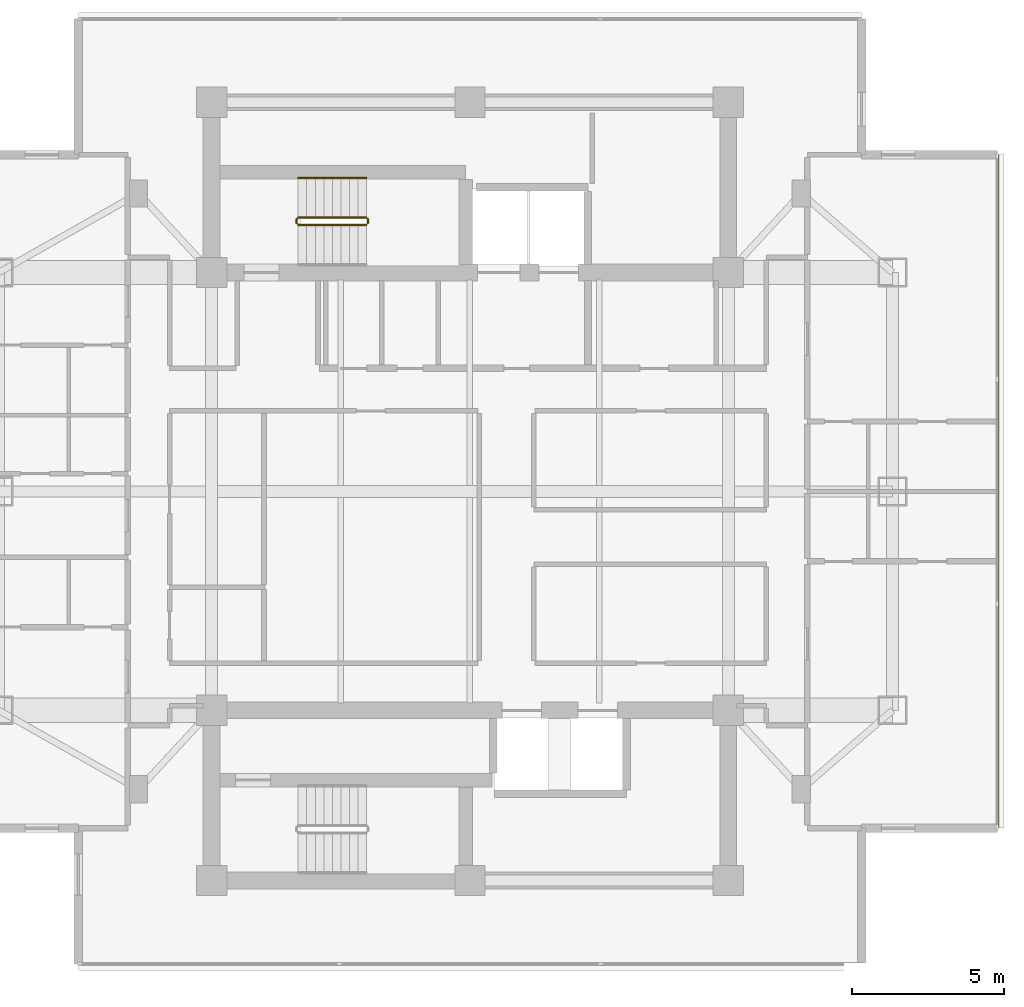
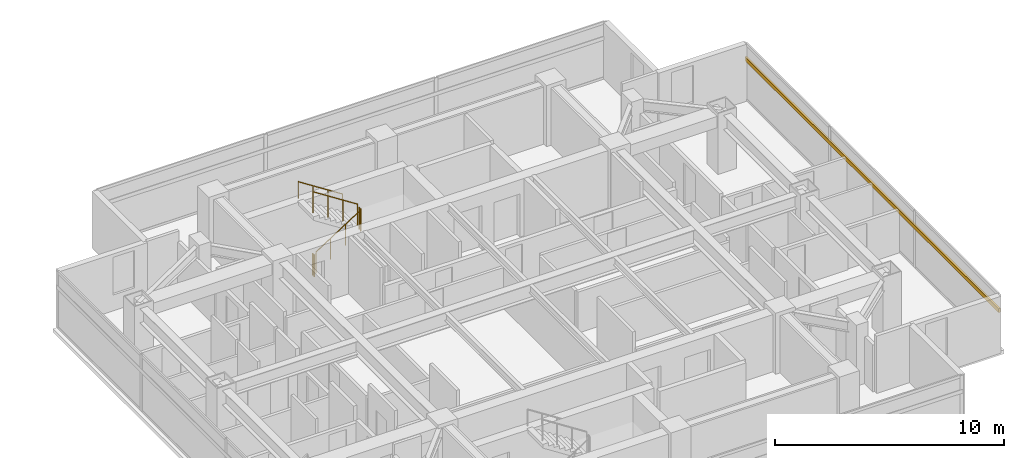
# One storey, part 23 of 24: 5 railings, 1 shading device.
"""IFC4 building model written with IfcOpenShell, lengths in metres."""

import ifcopenshell
import ifcopenshell.guid

model = None  # the IFC model being written
_history = None  # IfcOwnerHistory: only IFC2X3 demands one
_inside = {}  # id of a spatial element -> (the spatial element, [elements in it])
_under = {}  # id of a project, library or spatial element -> (it, [spatial elements below it])
_declared = {}  # id of a project -> (the project, [libraries it declares])
_typed = {}  # id of a type object -> (the type object, [elements of that type])
_made_of = {}  # id of a material, layer set ... -> (it, [elements and type objects made of it])


def new_model(schema):
    """Start an empty IFC model of exactly this schema.

    Asked for "IFC4X3", IfcOpenShell would pick the latest addendum, in which some entities
    have other attributes; the version numbers below select the first issue.
    IFC2X3 requires an IfcOwnerHistory on every rooted entity: one is made here for all.
    """
    global model, _history
    if schema == "IFC4X3":
        model = ifcopenshell.file(schema_version=(4, 3, 0, 0))
    else:
        model = ifcopenshell.file(schema=schema)
    _inside.clear()
    _under.clear()
    _declared.clear()
    _typed.clear()
    _made_of.clear()
    _history = None
    if model.schema == "IFC2X3":
        org = make("IfcOrganization", Name="unknown")
        user = make(
            "IfcPersonAndOrganization",
            ThePerson=make("IfcPerson", FamilyName="unknown"),
            TheOrganization=org,
        )
        app = make(
            "IfcApplication",
            ApplicationDeveloper=org,
            Version="unknown",
            ApplicationFullName="unknown",
            ApplicationIdentifier="unknown",
        )
        _history = make(
            "IfcOwnerHistory",
            OwningUser=user,
            OwningApplication=app,
            ChangeAction="ADDED",
            CreationDate=0,
        )
    return model


def make(cls, **values):
    """One entity of the class cls with the attributes given. An attribute that is None is left unset."""
    return model.create_entity(
        cls, **{name: value for name, value in values.items() if value is not None}
    )


def rooted(cls, **values):
    """An entity with a GlobalId (a new one), such as an element, a storey or a relation."""
    return make(cls, GlobalId=ifcopenshell.guid.new(), OwnerHistory=_history, **values)


def si_unit(unit_type, name, prefix=None):
    """IfcSIUnit, for example si_unit("LENGTHUNIT", "METRE", prefix="MILLI")."""
    return make("IfcSIUnit", UnitType=unit_type, Prefix=prefix, Name=name)


def assignment(units):
    """IfcUnitAssignment: the units of a project."""
    return None if units is None else make("IfcUnitAssignment", Units=units)


def point(xyz):
    """IfcCartesianPoint."""
    return None if xyz is None else make("IfcCartesianPoint", Coordinates=xyz)


def direction(xyz):
    """IfcDirection."""
    return None if xyz is None else make("IfcDirection", DirectionRatios=xyz)


def frame(location, z_axis=None, x_axis=None):
    """IfcAxis2Placement3D, a coordinate frame: its origin and axes. An axis left out is left unset."""
    return make(
        "IfcAxis2Placement3D",
        Location=point(location),
        Axis=direction(z_axis),
        RefDirection=direction(x_axis),
    )


def frame_2d(location, x_axis=None):
    """IfcAxis2Placement2D, a coordinate frame in the plane: its origin and x axis."""
    return make(
        "IfcAxis2Placement2D", Location=point(location), RefDirection=direction(x_axis)
    )


def origin():
    """The frame at (0, 0, 0) with its axes left unset."""
    return frame((0.0, 0.0, 0.0))


def origin_2d():
    """The frame at (0, 0) in the plane with its x axis left unset."""
    return frame_2d((0.0, 0.0))


def place(relative_to, where):
    """IfcLocalPlacement: puts the frame where relative to a parent placement (None: the world)."""
    return make(
        "IfcLocalPlacement", PlacementRelTo=relative_to, RelativePlacement=where
    )


def context(
    kind, dimensions, precision=None, world=None, true_north=None, identifier=None
):
    """IfcGeometricRepresentationContext, for example the 3D "Model" context."""
    return make(
        "IfcGeometricRepresentationContext",
        ContextIdentifier=identifier,
        ContextType=kind,
        CoordinateSpaceDimension=dimensions,
        Precision=precision,
        WorldCoordinateSystem=world,
        TrueNorth=true_north,
    )


def subcontext(parent, identifier, kind, view, scale=None):
    """IfcGeometricRepresentationSubContext, for example "Body" below "Model"."""
    return make(
        "IfcGeometricRepresentationSubContext",
        ContextIdentifier=identifier,
        ContextType=kind,
        ParentContext=parent,
        TargetScale=scale,
        TargetView=view,
    )


def project(units=None, contexts=None):
    """IfcProject with its units and contexts."""
    return rooted(
        "IfcProject",
        Name="project",
        RepresentationContexts=contexts,
        UnitsInContext=assignment(units),
    )


def spatial(cls, under=None, at=None, **own):
    """A site, building, storey or space (cls), placed at a placement, below another one or the project."""
    s = rooted(cls, ObjectPlacement=at, **own)
    if under is not None:
        _under.setdefault(under.id(), (under, []))[1].append(s)
    return s


def profile(cls, at=None, kind="AREA", **sizes):
    """A parametric profile (cls). Its sizes go by their IFC names, for example OverallWidth=200.0."""
    return make(cls, ProfileType=kind, Position=at, **sizes)


def rectangle(**sizes):
    """IfcRectangleProfileDef."""
    return profile("IfcRectangleProfileDef", **sizes)


def circle(**sizes):
    """IfcCircleProfileDef."""
    return profile("IfcCircleProfileDef", **sizes)


def extrude(swept, where, along, depth):
    """IfcExtrudedAreaSolid: the profile swept, set in the frame where, extruded along a direction by depth."""
    return make(
        "IfcExtrudedAreaSolid",
        SweptArea=swept,
        Position=where,
        ExtrudedDirection=direction(along),
        Depth=depth,
    )


def shape(context_of_items, identifier, shape_type, items):
    """IfcShapeRepresentation: the items that make up one representation, for example the "Body"."""
    return make(
        "IfcShapeRepresentation",
        ContextOfItems=context_of_items,
        RepresentationIdentifier=identifier,
        RepresentationType=shape_type,
        Items=items,
    )


def material(Name=None, Category=None):
    """IfcMaterial."""
    return make("IfcMaterial", Name=Name, Category=Category)


def material_profile(
    of_material, cross_section, Name=None, Category=None, Priority=None
):
    """IfcMaterialProfile: a cross section and its material."""
    return make(
        "IfcMaterialProfile",
        Name=Name,
        Material=of_material,
        Profile=cross_section,
        Priority=Priority,
        Category=Category,
    )


def profile_set(profiles, Name=None, composite=None):
    """IfcMaterialProfileSet."""
    return make(
        "IfcMaterialProfileSet",
        Name=Name,
        MaterialProfiles=profiles,
        CompositeProfile=composite,
    )


def made_of(thing, what):
    """Note that an element or type object is made of a material, layer set ...; save() writes the relation."""
    if what is not None:
        _made_of.setdefault(what.id(), (what, []))[1].append(thing)
    return thing


def type_object(cls, material=None, **own):
    """A type object (cls), such as IfcWallType, which elements share."""
    return made_of(rooted(cls, **own), material)


def element(
    cls,
    number,
    at=None,
    inside=None,
    cuts=None,
    type_object=None,
    material=None,
    context=None,
    identifier="Body",
    shape_type=None,
    held_by="IfcProductDefinitionShape",
    body=None,
    shapes=None,
    **own,
):
    """One element of the class cls, such as IfcWall. Its Tag is "e" and its number.

    at: its placement. inside: the storey or other place that contains it. cuts: it is an
    opening in that element (IfcRelVoidsElement). A single representation is given by context,
    identifier, shape_type and body (its items); several are given by shapes. held_by: the class
    of the entity that holds the representations. save() writes the other relations.
    """
    e = rooted(cls, Tag="e%d" % number, ObjectPlacement=at, **own)
    if body is not None:
        shapes = [shape(context, identifier, shape_type, body)]
    if shapes is not None:
        e.Representation = make(held_by, Representations=shapes)
    if inside is not None:
        _inside.setdefault(inside.id(), (inside, []))[1].append(e)
    if cuts is not None:
        rooted(
            "IfcRelVoidsElement", RelatingBuildingElement=cuts, RelatedOpeningElement=e
        )
    if type_object is not None:
        _typed.setdefault(type_object.id(), (type_object, []))[1].append(e)
    return made_of(e, material)


def aggregate(whole, parts):
    """IfcRelAggregates: a whole, such as a stair, and the parts it consists of."""
    return rooted("IfcRelAggregates", RelatingObject=whole, RelatedObjects=parts)


def save(model, path):
    """Write the relations noted so far, then the file.

    IfcRelAggregates (storeys below a building ...), IfcRelContainedInSpatialStructure (elements
    in a storey), IfcRelDefinesByType, IfcRelAssociatesMaterial and IfcRelDeclares: one each for
    every whole, place, type object, material and project.
    """
    for whole, parts in _under.values():
        aggregate(whole, parts)
    for where, things in _inside.values():
        rooted(
            "IfcRelContainedInSpatialStructure",
            RelatedElements=things,
            RelatingStructure=where,
        )
    for kind, things in _typed.values():
        rooted("IfcRelDefinesByType", RelatedObjects=things, RelatingType=kind)
    for what, things in _made_of.values():
        rooted("IfcRelAssociatesMaterial", RelatedObjects=things, RelatingMaterial=what)
    for by, libraries in _declared.values():
        rooted("IfcRelDeclares", RelatingContext=by, RelatedDefinitions=libraries)
    model.write(path)


model = new_model("IFC4")

# Units and contexts
model_context = context("Model", 3, precision=1e-05, world=origin(), true_north=direction((0.0, 1.0)))
body_context = subcontext(model_context, "Body", "Model", "MODEL_VIEW")
ifc_project = project(units=[si_unit("LENGTHUNIT", "METRE"), si_unit("AREAUNIT", "SQUARE_METRE"), si_unit("VOLUMEUNIT", "CUBIC_METRE"), si_unit("PLANEANGLEUNIT", "RADIAN"), si_unit("MASSUNIT", "GRAM", prefix="KILO")], contexts=[model_context])

# Site, building, storey
site_placement = place(None, origin())
site = spatial("IfcSite", under=ifc_project, at=site_placement, CompositionType="ELEMENT")
building_placement = place(site_placement, origin())
building = spatial("IfcBuilding", under=site, at=building_placement, Name="Mirazonda Arch Towers", CompositionType="ELEMENT")
storey_placement = place(building_placement, frame((0.0, 0.0, 164.14990234375)))
storey = spatial("IfcBuildingStorey", under=building, at=storey_placement, Name="L46", CompositionType="ELEMENT", Elevation=164.14990234375)

# Shading device
ifc_material_1 = material(Name="Kiln-Fired Architectural Terracotta", Category="masonry")
ifc_material_profile = material_profile(ifc_material_1, rectangle(XDim=0.10009765625, YDim=0.199951171875, at=origin_2d()), Name="TERRA-BAG-100x200")
ifc_profile_set = profile_set([ifc_material_profile], Name="Kiln-Fired Architectural Terracotta")
shading_device_type = type_object("IfcShadingDeviceType", Name="BAGUETTE-2", PredefinedType="USERDEFINED", material=ifc_profile_set)
shading_device_placement = place(storey_placement, frame((93.846435546875, 16.923828125, 2.181640625), z_axis=(0.0, 1.0, 0.0), x_axis=(-1.0, 0.0, 0.0)))
element("IfcShadingDevice", 1, at=shading_device_placement, inside=storey, type_object=shading_device_type, Name="L46 Glazed Terracotta Sun-Screen Baguette CW-L46-T2-E", ObjectType="BAGUETTE", PredefinedType="USERDEFINED", context=body_context, shape_type="SweptSolid", body=[
    extrude(rectangle(XDim=0.10009765625, YDim=0.199951171875, at=origin_2d()), origin(), (0.0, 0.0, 1.0), 22.15234375),
])

# Railings
ifc_material_2 = material(Name="Architectural Brushed Steel S355", Category="steel")
railing_type_1 = type_object("IfcRailingType", Name="GUARD-STAIR-1120", PredefinedType="GUARDRAIL", material=ifc_material_2)
railing_1_placement = place(storey_placement, frame((70.85009765625, 36.77001953125, 0.1806640625)))
element("IfcRailing", 2, at=railing_1_placement, inside=storey, type_object=railing_type_1, Name="L46 ST-T2N stair guard 1", PredefinedType="GUARDRAIL", context=body_context, shape_type="SweptSolid", body=[
    extrude(circle(Radius=0.02392578125, at=origin_2d()), frame((0.0, 0.0, 1.1259765625), z_axis=(0.840436612492, 0.0, 0.541909863706), x_axis=(0.0, 1.0, 0.0)), (0.0, 0.0, 1.0), 2.665283203125),
    extrude(circle(Radius=0.02099609375, at=origin_2d()), origin(), (0.0, 0.0, 1.0), 1.101806640625),
    extrude(circle(Radius=0.02099609375, at=origin_2d()), frame((0.74658203125, 0.0, 0.4814453125)), (0.0, 0.0, 1.0), 1.101806640625),
    extrude(circle(Radius=0.02099609375, at=origin_2d()), frame((1.493408203125, 0.0, 0.962890625)), (0.0, 0.0, 1.0), 1.101806640625),
    extrude(circle(Radius=0.02099609375, at=origin_2d()), frame((2.239990234375, 0.0, 1.4443359375)), (0.0, 0.0, 1.0), 1.101806640625),
])
railing_2_placement = place(storey_placement, frame((73.139892578125, 36.820068359375, 1.625)))
element("IfcRailing", 3, at=railing_2_placement, inside=storey, type_object=railing_type_1, Name="L46 ST-T2N stair guard 2", PredefinedType="GUARDRAIL", context=body_context, shape_type="SweptSolid", body=[
    extrude(circle(Radius=0.02392578125, at=origin_2d()), frame((0.0, 0.0, 1.1259765625), z_axis=(0.0, 1.0, 0.0), x_axis=(-1.0, 0.0, 0.0)), (0.0, 0.0, 1.0), 0.139892578125),
    extrude(circle(Radius=0.02099609375, at=origin_2d()), origin(), (0.0, 0.0, 1.0), 1.101806640625),
    extrude(circle(Radius=0.02099609375, at=origin_2d()), frame((0.0, 0.139892578125, 0.0)), (0.0, 0.0, 1.0), 1.101806640625),
])
railing_3_placement = place(storey_placement, frame((73.090087890625, 37.010009765625, 1.8056640625)))
element("IfcRailing", 4, at=railing_3_placement, inside=storey, type_object=railing_type_1, Name="L46 ST-T2N stair guard 3", PredefinedType="GUARDRAIL", context=body_context, shape_type="SweptSolid", body=[
    extrude(circle(Radius=0.02392578125, at=origin_2d()), frame((0.0, 0.0, 1.1259765625), z_axis=(-0.840436612492, 0.0, 0.541909863706), x_axis=(0.0, -1.0, 0.0)), (0.0, 0.0, 1.0), 2.665283203125),
    extrude(circle(Radius=0.02099609375, at=origin_2d()), origin(), (0.0, 0.0, 1.0), 1.101806640625),
    extrude(circle(Radius=0.02099609375, at=origin_2d()), frame((-0.74658203125, 0.0, 0.4814453125)), (0.0, 0.0, 1.0), 1.101806640625),
    extrude(circle(Radius=0.02099609375, at=origin_2d()), frame((-1.493408203125, 0.0, 0.962890625)), (0.0, 0.0, 1.0), 1.101806640625),
    extrude(circle(Radius=0.02099609375, at=origin_2d()), frame((-2.239990234375, 0.0, 1.4443359375)), (0.0, 0.0, 1.0), 1.101806640625),
])
railing_4_placement = place(storey_placement, frame((70.800048828125, 36.820068359375, 0.0)))
element("IfcRailing", 5, at=railing_4_placement, inside=storey, type_object=railing_type_1, Name="L46 ST-T2N stair guard 4", PredefinedType="GUARDRAIL", context=body_context, shape_type="SweptSolid", body=[
    extrude(circle(Radius=0.02392578125, at=origin_2d()), frame((0.0, 0.0, 1.1259765625), z_axis=(0.0, 1.0, 0.0), x_axis=(-1.0, 0.0, 0.0)), (0.0, 0.0, 1.0), 0.139892578125),
    extrude(circle(Radius=0.02099609375, at=origin_2d()), origin(), (0.0, 0.0, 1.0), 1.101806640625),
    extrude(circle(Radius=0.02099609375, at=origin_2d()), frame((0.0, 0.139892578125, 0.0)), (0.0, 0.0, 1.0), 1.101806640625),
])
railing_type_2 = type_object("IfcRailingType", Name="HANDRAIL-915", PredefinedType="HANDRAIL", material=ifc_material_2)
railing_5_placement = place(storey_placement, frame((73.090087890625, 38.31005859375, 1.8056640625)))
element("IfcRailing", 6, at=railing_5_placement, inside=storey, type_object=railing_type_2, Name="L46 ST-T2N stair handrail 2", PredefinedType="HANDRAIL", context=body_context, shape_type="SweptSolid", body=[
    extrude(circle(Radius=0.02392578125, at=origin_2d()), frame((0.0, 0.0, 0.8759765625), z_axis=(-0.840436612492, 0.0, 0.541909863706), x_axis=(0.0, -1.0, 0.0)), (0.0, 0.0, 1.0), 2.665283203125),
    extrude(circle(Radius=0.02099609375, at=origin_2d()), origin(), (0.0, 0.0, 1.0), 0.851806640625),
    extrude(circle(Radius=0.02099609375, at=origin_2d()), frame((-0.74658203125, 0.0, 0.4814453125)), (0.0, 0.0, 1.0), 0.851806640625),
    extrude(circle(Radius=0.02099609375, at=origin_2d()), frame((-1.493408203125, 0.0, 0.962890625)), (0.0, 0.0, 1.0), 0.851806640625),
    extrude(circle(Radius=0.02099609375, at=origin_2d()), frame((-2.239990234375, 0.0, 1.4443359375)), (0.0, 0.0, 1.0), 0.851806640625),
])

save(model, "model.ifc")
